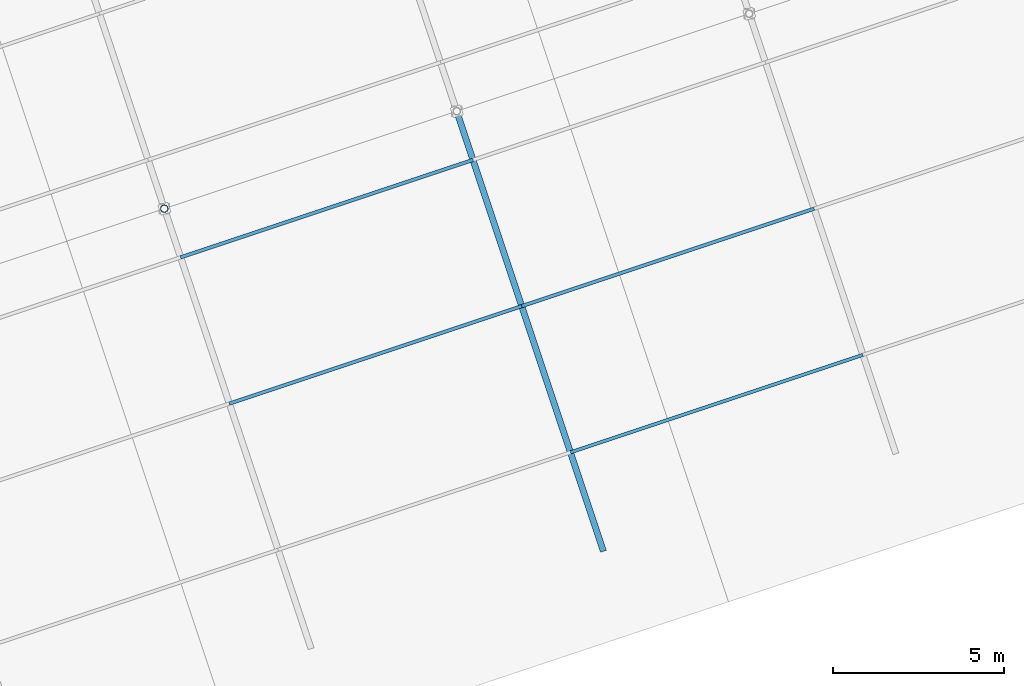
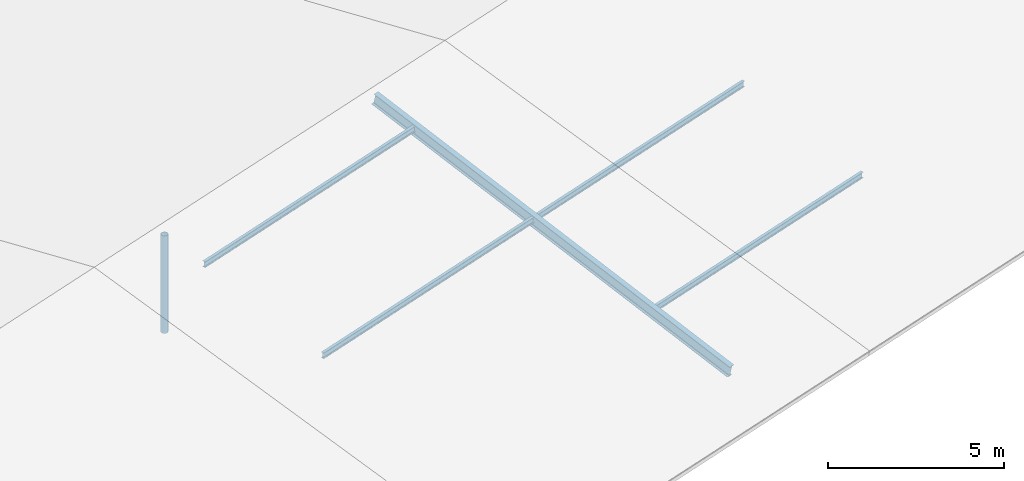
# One storey, part 27 of 107: 6 members.
"""IFC4 building model written with IfcOpenShell, lengths in metres."""

from ifc_helpers import new_model, si_unit, derived_unit, direction, frame, origin, origin_2d, place, context, subcontext, project, spatial, hollow_circle, i_section, extrude, material, material_profile, profile_set, type_object, element, save


model = new_model("IFC4")

# Units and contexts
model_context = context("Model", 3, precision=1e-05, world=origin(), true_north=direction((0.0, 1.0)))
body_context = subcontext(model_context, "Body", "Model", "MODEL_VIEW")
ifc_project = project(units=[si_unit("LENGTHUNIT", "METRE"), si_unit("AREAUNIT", "SQUARE_METRE"), si_unit("VOLUMEUNIT", "CUBIC_METRE"), si_unit("PLANEANGLEUNIT", "RADIAN"), si_unit("MASSUNIT", "GRAM", prefix="KILO"), si_unit("THERMODYNAMICTEMPERATUREUNIT", "KELVIN"), si_unit("TIMEUNIT", "SECOND"), derived_unit("THERMALTRANSMITTANCEUNIT", [(si_unit("MASSUNIT", "GRAM", prefix="KILO"), 1), (si_unit("THERMODYNAMICTEMPERATUREUNIT", "KELVIN"), -1), (si_unit("TIMEUNIT", "SECOND"), -3)])], contexts=[model_context])

# Site, building, storey
site_placement = place(None, origin())
site = spatial("IfcSite", under=ifc_project, at=site_placement, CompositionType="ELEMENT")
building_placement = place(site_placement, origin())
building = spatial("IfcBuilding", under=site, at=building_placement, Name="Cambertide Market Hall", CompositionType="ELEMENT")
storey_placement = place(building_placement, frame((0.0, 0.0, 18.300048828125)))
storey = spatial("IfcBuildingStorey", under=building, at=storey_placement, Name="RF", CompositionType="ELEMENT", Elevation=18.300048828125)

# Members
ifc_material_1 = material(Name="Steel S355", Category="steel")
ifc_material_profile_1 = material_profile(ifc_material_1, i_section(OverallWidth=0.179931640625, OverallDepth=0.39990234375, WebThickness=0.008544921875, FlangeThickness=0.013427734375, FilletRadius=0.02099609375, at=origin_2d()), Name="IPE 400")
ifc_profile_set_1 = profile_set([ifc_material_profile_1], Name="Steel S355")
member_type_1 = type_object("IfcMemberType", Name="Radial Fan Rafter IPE 400", PredefinedType="RAFTER", material=ifc_profile_set_1)
member_1_placement = place(storey_placement, frame((131.614501953125, 20.5380859375, -4.400146484375), z_axis=(-0.307717896075, 0.923171286184, 0.230357272082), x_axis=(-0.948685106467, -0.316222340717, 0.0)))
element("IfcMember", 1, at=member_1_placement, inside=storey, type_object=member_type_1, Name="RAF-V3S-4", PredefinedType="RAFTER", context=body_context, shape_type="SweptSolid", body=[
    extrude(i_section(OverallWidth=0.179931640625, OverallDepth=0.39990234375, WebThickness=0.008544921875, FlangeThickness=0.013427734375, FilletRadius=0.02099609375, at=origin_2d()), origin(), (0.0, 0.0, 1.0), 13.873291015625),
])
ifc_material_2 = material(Name="Steel S275", Category="steel")
ifc_material_profile_2 = material_profile(ifc_material_2, i_section(OverallWidth=0.10009765625, OverallDepth=0.199951171875, WebThickness=0.005615234375, FlangeThickness=0.008544921875, FilletRadius=0.011962890625, at=origin_2d()), Name="IPE 200")
ifc_profile_set_2 = profile_set([ifc_material_profile_2], Name="Steel S275")
member_type_2 = type_object("IfcMemberType", Name="Roof Purlin IPE 200", PredefinedType="PURLIN", material=ifc_profile_set_2)
member_2_placement = place(storey_placement, frame((120.70458984375, 24.80712890625, -2.624755859375), z_axis=(0.948677872554, 0.31624404204, 0.0), x_axis=(-0.31624404204, 0.948677872554, 0.0)))
element("IfcMember", 2, at=member_2_placement, inside=storey, type_object=member_type_2, Name="PUR-V3-3-7", PredefinedType="PURLIN", context=body_context, shape_type="SweptSolid", body=[
    extrude(i_section(OverallWidth=0.10009765625, OverallDepth=0.199951171875, WebThickness=0.005615234375, FlangeThickness=0.008544921875, FilletRadius=0.011962890625, at=origin_2d()), origin(), (0.0, 0.0, 1.0), 9.0),
])
member_3_placement = place(storey_placement, frame((119.281494140625, 29.076416015625, -1.5595703125), z_axis=(0.948688723175, 0.316211490179, 0.0), x_axis=(-0.316211490179, 0.948688723175, 0.0)))
element("IfcMember", 3, at=member_3_placement, inside=storey, type_object=member_type_2, Name="PUR-V3-3-12", PredefinedType="PURLIN", context=body_context, shape_type="SweptSolid", body=[
    extrude(i_section(OverallWidth=0.10009765625, OverallDepth=0.199951171875, WebThickness=0.005615234375, FlangeThickness=0.008544921875, FilletRadius=0.011962890625, at=origin_2d()), origin(), (0.0, 0.0, 1.0), 9.000244140625),
])
member_4_placement = place(storey_placement, frame((130.665771484375, 23.38427734375, -3.68994140625), z_axis=(0.948686010717, 0.3162196279, 0.0), x_axis=(-0.3162196279, 0.948686010717, 0.0)))
element("IfcMember", 4, at=member_4_placement, inside=storey, type_object=member_type_2, Name="PUR-V3-4-3", PredefinedType="PURLIN", context=body_context, shape_type="SweptSolid", body=[
    extrude(i_section(OverallWidth=0.10009765625, OverallDepth=0.199951171875, WebThickness=0.005615234375, FlangeThickness=0.008544921875, FilletRadius=0.011962890625, at=origin_2d()), origin(), (0.0, 0.0, 1.0), 9.0),
])
member_5_placement = place(storey_placement, frame((129.24267578125, 27.6533203125, -2.624755859375), z_axis=(0.948688723175, 0.316211490179, 0.0), x_axis=(-0.316211490179, 0.948688723175, 0.0)))
element("IfcMember", 5, at=member_5_placement, inside=storey, type_object=member_type_2, Name="PUR-V3-4-7", PredefinedType="PURLIN", context=body_context, shape_type="SweptSolid", body=[
    extrude(i_section(OverallWidth=0.10009765625, OverallDepth=0.199951171875, WebThickness=0.005615234375, FlangeThickness=0.008544921875, FilletRadius=0.011962890625, at=origin_2d()), origin(), (0.0, 0.0, 1.0), 9.000244140625),
])
ifc_material_3 = material(Name="Steel S355", Category="steel")
ifc_material_profile_3 = material_profile(ifc_material_3, hollow_circle(Radius=0.109619140625, WallThickness=0.008056640625, at=origin_2d()), Name="CHS 219.1x8")
ifc_profile_set_3 = profile_set([ifc_material_profile_3], Name="Steel S355")
member_type_3 = type_object("IfcMemberType", Name="Structural Brace CHS 219.1x8", PredefinedType="BRACE", material=ifc_profile_set_3)
member_6_placement = place(storey_placement, frame((118.80712890625, 30.499267578125, -4.580078125), z_axis=(0.0, 0.0, 1.0), x_axis=(1.0, 0.0, 0.0)))
element("IfcMember", 6, at=member_6_placement, inside=storey, type_object=member_type_3, Name="KP-V3-3", PredefinedType="BRACE", context=body_context, shape_type="SweptSolid", body=[
    extrude(hollow_circle(Radius=0.109619140625, WallThickness=0.008056640625, at=origin_2d()), origin(), (0.0, 0.0, 1.0), 3.375732421875),
])

save(model, "model.ifc")
